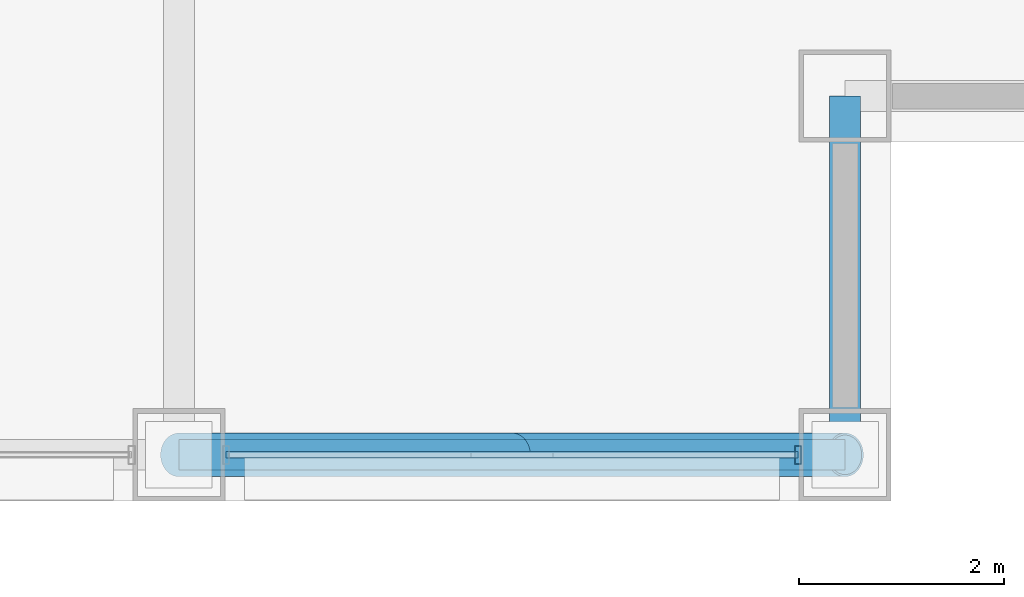
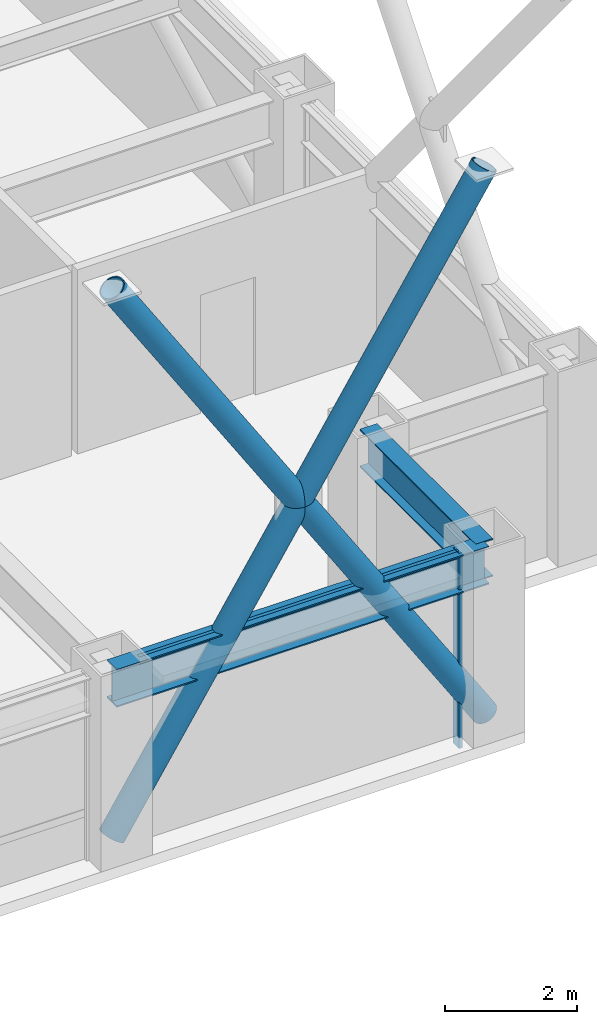
# One storey, part 10 of 29: 5 members, 2 beams, 1 element without a shape of its own.
"""IFC4 building model written with IfcOpenShell, lengths in metres."""

from ifc_helpers import new_model, si_unit, direction, frame, origin, origin_2d, place, context, subcontext, project, spatial, hollow_rectangle, hollow_circle, i_section, extrude, material, layer, layer_set, material_profile, profile_set, type_object, element, aggregate, save


model = new_model("IFC4")

# Units and contexts
model_context = context("Model", 3, precision=1e-05, world=origin(), true_north=direction((0.0, 1.0)))
body_context = subcontext(model_context, "Body", "Model", "MODEL_VIEW")
ifc_project = project(units=[si_unit("LENGTHUNIT", "METRE"), si_unit("AREAUNIT", "SQUARE_METRE"), si_unit("VOLUMEUNIT", "CUBIC_METRE"), si_unit("PLANEANGLEUNIT", "RADIAN"), si_unit("MASSUNIT", "GRAM", prefix="KILO")], contexts=[model_context])

# Site, building, storey
site_placement = place(None, origin())
site = spatial("IfcSite", under=ifc_project, at=site_placement, CompositionType="ELEMENT")
building_placement = place(site_placement, origin())
building = spatial("IfcBuilding", under=site, at=building_placement, Name="Brelmoor Portico Tower", CompositionType="ELEMENT")
storey_placement = place(building_placement, frame((0.0, 0.0, 67.199951171875)))
storey = spatial("IfcBuildingStorey", under=building, at=storey_placement, Name="L17", CompositionType="ELEMENT", Elevation=67.199951171875)

# Beams
ifc_material_1 = material(Name="Steel Q355B", Category="steel")
ifc_material_profile_1 = material_profile(ifc_material_1, i_section(OverallWidth=0.300048828125, OverallDepth=0.699951171875, WebThickness=0.012939453125, FlangeThickness=0.02392578125, at=origin_2d()), Name="HN 700x300x13x24")
ifc_profile_set_1 = profile_set([ifc_material_profile_1], Name="Steel Q355B")
beam_type = type_object("IfcBeamType", Name="BM-SP-700", PredefinedType="SPANDREL", material=ifc_profile_set_1)
beam_1_placement = place(storey_placement, frame((14.550048828125, -21.550048828125, 3.050048828125), z_axis=(1.0, 0.0, 0.0), x_axis=(0.0, 1.0, 0.0)))
element("IfcBeam", 1, at=beam_1_placement, inside=storey, type_object=beam_type, Name="L17 Perimeter Spandrel Beam SP-05", PredefinedType="SPANDREL", context=body_context, shape_type="SweptSolid", body=[
    extrude(i_section(OverallWidth=0.300048828125, OverallDepth=0.699951171875, WebThickness=0.012939453125, FlangeThickness=0.02392578125, at=origin_2d()), origin(), (0.0, 0.0, 1.0), 6.5),
])
beam_2_placement = place(storey_placement, frame((21.050048828125, -21.550048828125, 3.050048828125), z_axis=(0.0, 1.0, 0.0), x_axis=(-1.0, 0.0, 0.0)))
element("IfcBeam", 2, at=beam_2_placement, inside=storey, type_object=beam_type, Name="L17 Perimeter Spandrel Beam SP-20", PredefinedType="SPANDREL", context=body_context, shape_type="SweptSolid", body=[
    extrude(i_section(OverallWidth=0.300048828125, OverallDepth=0.699951171875, WebThickness=0.012939453125, FlangeThickness=0.02392578125, at=origin_2d()), origin(), (0.0, 0.0, 1.0), 3.5),
])

# Members
ifc_material_profile_2 = material_profile(ifc_material_1, hollow_circle(Radius=0.212890625, WallThickness=0.02001953125, at=origin_2d()), Name="CHS 426x20")
ifc_profile_set_2 = profile_set([ifc_material_profile_2], Name="Steel Q355B")
member_type_1 = type_object("IfcMemberType", Name="MB-BELT-DIAG1", PredefinedType="BRACE", material=ifc_profile_set_2)
member_1_placement = place(storey_placement, frame((14.550048828125, -21.550048828125, 0.25), z_axis=(0.541174623135, 0.0, 0.840910237347), x_axis=(0.0, 1.0, 0.0)))
element("IfcMember", 3, at=member_1_placement, inside=storey, type_object=member_type_1, Name="L17 Continuous Mega-X Brace 035A", PredefinedType="BRACE", context=body_context, shape_type="SweptSolid", body=[
    extrude(hollow_circle(Radius=0.212890625, WallThickness=0.02001953125, at=origin_2d()), origin(), (0.0, 0.0, 1.0), 12.010986328125),
])
for number, where, z_axis, x_axis, name in (
    (4, (21.050048828125, -21.550048828125, 0.25), (-0.541174623135, 0.0, 0.840910237347), (0.0, -1.0, 0.0), "L17 Split Mega-X Brace 035B1"),
    (5, (17.800048828125, -21.550048828125, 5.300048828125), (-0.541174623135, 0.0, 0.840910237347), (0.0, -1.0, 0.0), "L17 Split Mega-X Brace 035B2"),
):
    element("IfcMember", number, at=place(storey_placement, frame(where, z_axis=z_axis, x_axis=x_axis)), inside=storey, type_object=member_type_1, Name=name, PredefinedType="BRACE", context=body_context, shape_type="SweptSolid", body=[
        extrude(hollow_circle(Radius=0.212890625, WallThickness=0.02001953125, at=origin_2d()), origin(), (0.0, 0.0, 1.0), 6.00537109375),
    ])

# Curtain wall, members
ifc_material_2 = material(Name="Anodised Aluminium Alloy 6063-T6", Category="aluminium")
ifc_layer = layer(ifc_material_2, 0.179931640625)
ifc_layer_set = layer_set([ifc_layer], Name="Anodised Aluminium Alloy 6063-T6")
curtain_wall_type = type_object("IfcCurtainWallType", Name="CW-TOWER-Z1-XB", PredefinedType="NOTDEFINED", material=ifc_layer_set)
curtain_wall_placement = place(storey_placement, origin())
curtain_wall = element("IfcCurtainWall", 6, at=curtain_wall_placement, inside=storey, type_object=curtain_wall_type, Name="L17 Curtain Wall CW-L17-1R-4", PredefinedType="NOTDEFINED")
ifc_material_profile_3 = material_profile(ifc_material_2, hollow_rectangle(XDim=0.06494140625, YDim=0.179931640625, WallThickness=0.00390625, at=origin_2d()), Name="ALU MULLION 65x180")
ifc_profile_set_3 = profile_set([ifc_material_profile_3], Name="Anodised Aluminium Alloy 6063-T6")
member_type_2 = type_object("IfcMemberType", Name="MB-CW-MULL-180", PredefinedType="MULLION", material=ifc_profile_set_3)
member_2_placement = place(storey_placement, frame((20.590087890625, -21.550048828125, -0.199951171875), z_axis=(0.0, 0.0, 1.0), x_axis=(1.0, 0.0, 0.0)))
member_2 = element("IfcMember", 7, at=member_2_placement, type_object=member_type_2, Name="CW-L17-1R-4 Mullion 01", PredefinedType="MULLION", context=body_context, shape_type="SweptSolid", body=[
    extrude(hollow_rectangle(XDim=0.06494140625, YDim=0.179931640625, WallThickness=0.00390625, at=origin_2d()), origin(), (0.0, 0.0, 1.0), 3.60009765625),
])
ifc_material_profile_4 = material_profile(ifc_material_2, hollow_rectangle(XDim=0.06494140625, YDim=0.139892578125, WallThickness=0.00390625, at=origin_2d()), Name="ALU TRANSOM 65x140")
ifc_profile_set_4 = profile_set([ifc_material_profile_4], Name="Anodised Aluminium Alloy 6063-T6")
member_type_3 = type_object("IfcMemberType", Name="MB-CW-TRAN-140", PredefinedType="USERDEFINED", material=ifc_profile_set_4)
member_3_placement = place(storey_placement, frame((15.010009765625, -21.550048828125, 3.330078125), z_axis=(1.0, 0.0, 0.0), x_axis=(0.0, 1.0, 0.0)))
member_3 = element("IfcMember", 8, at=member_3_placement, type_object=member_type_3, Name="CW-L17-1R-4 Transom 1-00", ObjectType="TRANSOM", PredefinedType="USERDEFINED", context=body_context, shape_type="SweptSolid", body=[
    extrude(hollow_rectangle(XDim=0.06494140625, YDim=0.139892578125, WallThickness=0.00390625, at=origin_2d()), origin(), (0.0, 0.0, 1.0), 5.580078125),
])
aggregate(curtain_wall, [member_2, member_3])

save(model, "model.ifc")
